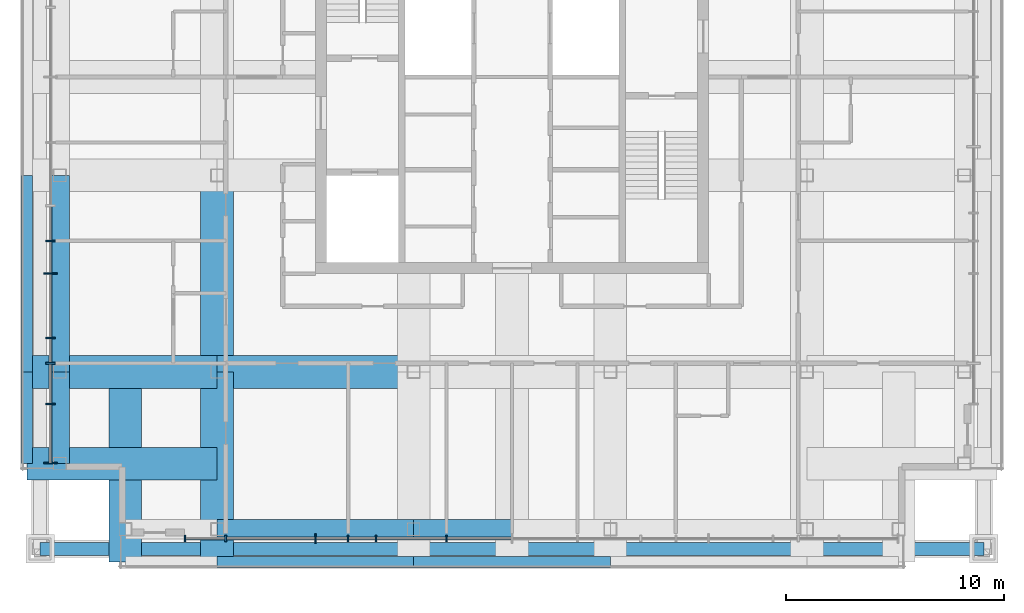
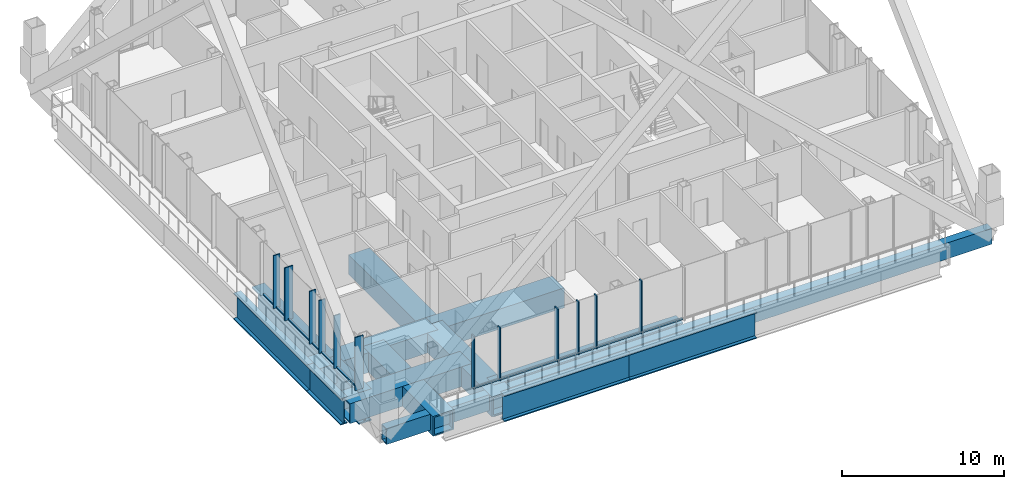
# One storey, part 2 of 19: 25 members, 14 beams, 2 elements without a shape of their own.
"""IFC4 building model written with IfcOpenShell, lengths in metres."""

from ifc_helpers import new_model, si_unit, direction, frame, origin, origin_2d, place, context, subcontext, project, spatial, rectangle, hollow_rectangle, i_section, extrude, material, layer, layer_set, material_profile, profile_set, type_object, element, aggregate, save


model = new_model("IFC4")

# Units and contexts
model_context = context("Model", 3, precision=1e-05, world=origin(), true_north=direction((0.0, 1.0)))
body_context = subcontext(model_context, "Body", "Model", "MODEL_VIEW")
ifc_project = project(units=[si_unit("LENGTHUNIT", "METRE"), si_unit("AREAUNIT", "SQUARE_METRE"), si_unit("VOLUMEUNIT", "CUBIC_METRE"), si_unit("PLANEANGLEUNIT", "RADIAN"), si_unit("MASSUNIT", "GRAM", prefix="KILO")], contexts=[model_context])

# Site, building, storey
site_placement = place(None, origin())
site = spatial("IfcSite", under=ifc_project, at=site_placement, CompositionType="ELEMENT")
building_placement = place(site_placement, origin())
building = spatial("IfcBuilding", under=site, at=building_placement, Name="Malebo Sky Hospital", CompositionType="ELEMENT")
storey_placement = place(building_placement, frame((0.0, 0.0, 250.0)))
storey = spatial("IfcBuildingStorey", under=building, at=storey_placement, Name="L60", CompositionType="ELEMENT", Elevation=250.0)

# Curtain wall, members
ifc_material_1 = material(Name="Anodised aluminium, natural silver", Category="aluminium")
ifc_layer_1 = layer(ifc_material_1, 0.25)
ifc_layer_set_1 = layer_set([ifc_layer_1], Name="WARD CURTAIN WALL EAST AND WEST")
curtain_wall_type_1 = type_object("IfcCurtainWallType", Name="WARD CURTAIN WALL EAST AND WEST", PredefinedType="NOTDEFINED", material=ifc_layer_set_1)
curtain_wall_1_placement = place(storey_placement, origin())
curtain_wall_1 = element("IfcCurtainWall", 1, at=curtain_wall_1_placement, inside=storey, type_object=curtain_wall_type_1, Name="EW curtain wall W", PredefinedType="NOTDEFINED")
ifc_material_profile_1 = material_profile(ifc_material_1, rectangle(XDim=0.14990234375, YDim=0.10009765625, at=origin_2d()), Name="ALUMINIUM TRANSOM 150x100")
ifc_profile_set_1 = profile_set([ifc_material_profile_1], Name="Anodised aluminium, natural silver")
member_type_1 = type_object("IfcMemberType", Name="ALUMINIUM TRANSOM 150x100", PredefinedType="USERDEFINED", material=ifc_profile_set_1)
member_1_placement = place(storey_placement, frame((38.875, 44.375, 0.050048828125), z_axis=(0.0, 1.0, 0.0), x_axis=(-1.0, 0.0, 0.0)))
member_1 = element("IfcMember", 2, at=member_1_placement, type_object=member_type_1, Name="Transom 1", ObjectType="TRANSOM", PredefinedType="USERDEFINED", context=body_context, shape_type="SweptSolid", body=[
    extrude(rectangle(XDim=0.14990234375, YDim=0.10009765625, at=origin_2d()), origin(), (0.0, 0.0, 1.0), 2.61474609375),
])
member_2_placement = place(storey_placement, frame((38.875, 47.064697265625, 0.050048828125), z_axis=(0.0, 1.0, 0.0), x_axis=(-1.0, 0.0, 0.0)))
member_2 = element("IfcMember", 3, at=member_2_placement, type_object=member_type_1, Name="Transom 2", ObjectType="TRANSOM", PredefinedType="USERDEFINED", context=body_context, shape_type="SweptSolid", body=[
    extrude(rectangle(XDim=0.14990234375, YDim=0.10009765625, at=origin_2d()), origin(), (0.0, 0.0, 1.0), 1.7978515625),
])
member_3_placement = place(storey_placement, frame((38.875, 48.9375, 0.050048828125), z_axis=(0.0, 1.0, 0.0), x_axis=(-1.0, 0.0, 0.0)))
member_3 = element("IfcMember", 4, at=member_3_placement, type_object=member_type_1, Name="Transom 3", ObjectType="TRANSOM", PredefinedType="USERDEFINED", context=body_context, shape_type="SweptSolid", body=[
    extrude(rectangle(XDim=0.14990234375, YDim=0.10009765625, at=origin_2d()), origin(), (0.0, 0.0, 1.0), 1.07958984375),
])
member_4_placement = place(storey_placement, frame((38.875, 50.092041015625, 0.050048828125), z_axis=(0.0, 1.0, 0.0), x_axis=(-1.0, 0.0, 0.0)))
member_4 = element("IfcMember", 5, at=member_4_placement, type_object=member_type_1, Name="Transom 4", ObjectType="TRANSOM", PredefinedType="USERDEFINED", context=body_context, shape_type="SweptSolid", body=[
    extrude(rectangle(XDim=0.14990234375, YDim=0.10009765625, at=origin_2d()), origin(), (0.0, 0.0, 1.0), 2.870361328125),
])
member_5_placement = place(storey_placement, frame((38.875, 53.03759765625, 0.050048828125), z_axis=(0.0, 1.0, 0.0), x_axis=(-1.0, 0.0, 0.0)))
member_5 = element("IfcMember", 6, at=member_5_placement, type_object=member_type_1, Name="Transom 5", ObjectType="TRANSOM", PredefinedType="USERDEFINED", context=body_context, shape_type="SweptSolid", body=[
    extrude(rectangle(XDim=0.14990234375, YDim=0.10009765625, at=origin_2d()), origin(), (0.0, 0.0, 1.0), 1.4248046875),
])
member_6_placement = place(storey_placement, frame((38.875, 54.53759765625, 0.050048828125), z_axis=(0.0, 1.0, 0.0), x_axis=(-1.0, 0.0, 0.0)))
member_6 = element("IfcMember", 7, at=member_6_placement, type_object=member_type_1, Name="Transom 6", ObjectType="TRANSOM", PredefinedType="USERDEFINED", context=body_context, shape_type="SweptSolid", body=[
    extrude(rectangle(XDim=0.14990234375, YDim=0.10009765625, at=origin_2d()), origin(), (0.0, 0.0, 1.0), 1.533935546875),
])

ifc_layer_2 = layer(ifc_material_1, 0.25)
ifc_layer_set_2 = layer_set([ifc_layer_2], Name="WARD CURTAIN WALL NORTH AND SOUTH")
curtain_wall_type_2 = type_object("IfcCurtainWallType", Name="WARD CURTAIN WALL NORTH AND SOUTH", PredefinedType="NOTDEFINED", material=ifc_layer_set_2)
curtain_wall_2_placement = place(storey_placement, origin())
curtain_wall_2 = element("IfcCurtainWall", 8, at=curtain_wall_2_placement, inside=storey, type_object=curtain_wall_type_2, Name="NS curtain wall S", PredefinedType="NOTDEFINED")
member_7_placement = place(storey_placement, frame((59.96240234375, 40.875, 0.050048828125), z_axis=(-1.0, 0.0, 0.0), x_axis=(0.0, -1.0, 0.0)))
member_7 = element("IfcMember", 9, at=member_7_placement, type_object=member_type_1, Name="Transom 9", ObjectType="TRANSOM", PredefinedType="USERDEFINED", context=body_context, shape_type="SweptSolid", body=[
    extrude(rectangle(XDim=0.14990234375, YDim=0.10009765625, at=origin_2d()), origin(), (0.0, 0.0, 1.0), 2.9248046875),
])
member_8_placement = place(storey_placement, frame((56.96240234375, 40.875, 0.050048828125), z_axis=(-1.0, 0.0, 0.0), x_axis=(0.0, -1.0, 0.0)))
member_8 = element("IfcMember", 10, at=member_8_placement, type_object=member_type_1, Name="Transom 10", ObjectType="TRANSOM", PredefinedType="USERDEFINED", context=body_context, shape_type="SweptSolid", body=[
    extrude(rectangle(XDim=0.14990234375, YDim=0.10009765625, at=origin_2d()), origin(), (0.0, 0.0, 1.0), 3.14306640625),
])
member_9_placement = place(storey_placement, frame((53.744384765625, 40.875, 0.050048828125), z_axis=(-1.0, 0.0, 0.0), x_axis=(0.0, -1.0, 0.0)))
member_9 = element("IfcMember", 11, at=member_9_placement, type_object=member_type_1, Name="Transom 11", ObjectType="TRANSOM", PredefinedType="USERDEFINED", context=body_context, shape_type="SweptSolid", body=[
    extrude(rectangle(XDim=0.14990234375, YDim=0.10009765625, at=origin_2d()), origin(), (0.0, 0.0, 1.0), 1.206787109375),
])
member_10_placement = place(storey_placement, frame((52.46240234375, 40.875, 0.050048828125), z_axis=(-1.0, 0.0, 0.0), x_axis=(0.0, -1.0, 0.0)))
member_10 = element("IfcMember", 12, at=member_10_placement, type_object=member_type_1, Name="Transom 12", ObjectType="TRANSOM", PredefinedType="USERDEFINED", context=body_context, shape_type="SweptSolid", body=[
    extrude(rectangle(XDim=0.14990234375, YDim=0.10009765625, at=origin_2d()), origin(), (0.0, 0.0, 1.0), 1.4248046875),
])
member_11_placement = place(storey_placement, frame((50.96240234375, 40.875, 0.050048828125), z_axis=(-1.0, 0.0, 0.0), x_axis=(0.0, -1.0, 0.0)))
member_11 = element("IfcMember", 13, at=member_11_placement, type_object=member_type_1, Name="Transom 13", ObjectType="TRANSOM", PredefinedType="USERDEFINED", context=body_context, shape_type="SweptSolid", body=[
    extrude(rectangle(XDim=0.14990234375, YDim=0.10009765625, at=origin_2d()), origin(), (0.0, 0.0, 1.0), 4.02490234375),
])
member_12_placement = place(storey_placement, frame((46.862548828125, 40.875, 0.050048828125), z_axis=(-1.0, 0.0, 0.0), x_axis=(0.0, -1.0, 0.0)))
member_12 = element("IfcMember", 14, at=member_12_placement, type_object=member_type_1, Name="Transom 14", ObjectType="TRANSOM", PredefinedType="USERDEFINED", context=body_context, shape_type="SweptSolid", body=[
    extrude(rectangle(XDim=0.14990234375, YDim=0.10009765625, at=origin_2d()), origin(), (0.0, 0.0, 1.0), 1.78759765625),
])
ifc_material_profile_2 = material_profile(ifc_material_1, rectangle(XDim=0.074951171875, YDim=0.300048828125, at=origin_2d()), Name="CW1 ALUMINIUM FIN MULLION 75x300")
ifc_profile_set_2 = profile_set([ifc_material_profile_2], Name="Anodised aluminium, natural silver")
member_type_2 = type_object("IfcMemberType", Name="CW1 ALUMINIUM FIN MULLION 75x300", PredefinedType="MULLION", material=ifc_profile_set_2)
member_13_placement = place(storey_placement, frame((57.0, 40.875, 0.0), z_axis=(0.0, 0.0, 1.0), x_axis=(-1.0, 0.0, 0.0)))
member_13 = element("IfcMember", 15, at=member_13_placement, type_object=member_type_2, Name="Fin mullion 10", PredefinedType="MULLION", context=body_context, shape_type="SweptSolid", body=[
    extrude(rectangle(XDim=0.074951171875, YDim=0.300048828125, at=origin_2d()), origin(), (0.0, 0.0, 1.0), 4.0),
])
member_14_placement = place(storey_placement, frame((53.78173828125, 40.875, 0.0), z_axis=(0.0, 0.0, 1.0), x_axis=(-1.0, 0.0, 0.0)))
member_14 = element("IfcMember", 16, at=member_14_placement, type_object=member_type_2, Name="Fin mullion 11", PredefinedType="MULLION", context=body_context, shape_type="SweptSolid", body=[
    extrude(rectangle(XDim=0.074951171875, YDim=0.300048828125, at=origin_2d()), origin(), (0.0, 0.0, 1.0), 4.0),
])
member_15_placement = place(storey_placement, frame((52.5, 40.875, 0.0), z_axis=(0.0, 0.0, 1.0), x_axis=(-1.0, 0.0, 0.0)))
member_15 = element("IfcMember", 17, at=member_15_placement, type_object=member_type_2, Name="Fin mullion 12", PredefinedType="MULLION", context=body_context, shape_type="SweptSolid", body=[
    extrude(rectangle(XDim=0.074951171875, YDim=0.300048828125, at=origin_2d()), origin(), (0.0, 0.0, 1.0), 4.0),
])
member_16_placement = place(storey_placement, frame((46.89990234375, 40.875, 0.0), z_axis=(0.0, 0.0, 1.0), x_axis=(-1.0, 0.0, 0.0)))
member_16 = element("IfcMember", 18, at=member_16_placement, type_object=member_type_2, Name="Fin mullion 14", PredefinedType="MULLION", context=body_context, shape_type="SweptSolid", body=[
    extrude(rectangle(XDim=0.074951171875, YDim=0.300048828125, at=origin_2d()), origin(), (0.0, 0.0, 1.0), 4.0),
])
member_17_placement = place(storey_placement, frame((45.03759765625, 40.875, 0.0), z_axis=(0.0, 0.0, 1.0), x_axis=(-1.0, 0.0, 0.0)))
member_17 = element("IfcMember", 19, at=member_17_placement, type_object=member_type_2, Name="Fin mullion 15", PredefinedType="MULLION", context=body_context, shape_type="SweptSolid", body=[
    extrude(rectangle(XDim=0.074951171875, YDim=0.300048828125, at=origin_2d()), origin(), (0.0, 0.0, 1.0), 4.0),
])
ifc_material_profile_3 = material_profile(ifc_material_1, rectangle(XDim=0.074951171875, YDim=0.449951171875, at=origin_2d()), Name="CW1 ALUMINIUM FIN MULLION 75x450")
ifc_profile_set_3 = profile_set([ifc_material_profile_3], Name="Anodised aluminium, natural silver")
member_type_3 = type_object("IfcMemberType", Name="CW1 ALUMINIUM FIN MULLION 75x450", PredefinedType="MULLION", material=ifc_profile_set_3)
member_18_placement = place(storey_placement, frame((51.0, 40.875, 0.0), z_axis=(0.0, 0.0, 1.0), x_axis=(-1.0, 0.0, 0.0)))
member_18 = element("IfcMember", 20, at=member_18_placement, type_object=member_type_3, Name="Fin mullion 13", PredefinedType="MULLION", context=body_context, shape_type="SweptSolid", body=[
    extrude(rectangle(XDim=0.074951171875, YDim=0.449951171875, at=origin_2d()), origin(), (0.0, 0.0, 1.0), 4.0),
])
aggregate(curtain_wall_2, [member_13, member_14, member_15, member_18, member_16, member_17, member_7, member_8, member_9, member_10, member_11, member_12])

# Member
ifc_material_profile_4 = material_profile(ifc_material_1, rectangle(XDim=0.074951171875, YDim=0.449951171875, at=origin_2d()), Name="CW2 ALUMINIUM FIN MULLION 75x450")
ifc_profile_set_4 = profile_set([ifc_material_profile_4], Name="Anodised aluminium, natural silver")
member_type_4 = type_object("IfcMemberType", Name="CW2 ALUMINIUM FIN MULLION 75x450", PredefinedType="MULLION", material=ifc_profile_set_4)
member_19_placement = place(storey_placement, frame((38.875, 47.02734375, 0.0), z_axis=(0.0, 0.0, 1.0), x_axis=(0.0, 1.0, 0.0)))
member_19 = element("IfcMember", 21, at=member_19_placement, type_object=member_type_4, Name="Fin mullion 2", PredefinedType="MULLION", context=body_context, shape_type="SweptSolid", body=[
    extrude(rectangle(XDim=0.074951171875, YDim=0.449951171875, at=origin_2d()), origin(), (0.0, 0.0, 1.0), 4.0),
])

member_20_placement = place(storey_placement, frame((38.875, 48.89990234375, 0.0), z_axis=(0.0, 0.0, 1.0), x_axis=(0.0, 1.0, 0.0)))
member_20 = element("IfcMember", 22, at=member_20_placement, type_object=member_type_4, Name="Fin mullion 3", PredefinedType="MULLION", context=body_context, shape_type="SweptSolid", body=[
    extrude(rectangle(XDim=0.074951171875, YDim=0.449951171875, at=origin_2d()), origin(), (0.0, 0.0, 1.0), 4.0),
])

member_21_placement = place(storey_placement, frame((38.875, 50.054443359375, 0.0), z_axis=(0.0, 0.0, 1.0), x_axis=(0.0, 1.0, 0.0)))
member_21 = element("IfcMember", 23, at=member_21_placement, type_object=member_type_4, Name="Fin mullion 4", PredefinedType="MULLION", context=body_context, shape_type="SweptSolid", body=[
    extrude(rectangle(XDim=0.074951171875, YDim=0.449951171875, at=origin_2d()), origin(), (0.0, 0.0, 1.0), 4.0),
])

member_22_placement = place(storey_placement, frame((38.875, 54.5, 0.0), z_axis=(0.0, 0.0, 1.0), x_axis=(0.0, 1.0, 0.0)))
member_22 = element("IfcMember", 24, at=member_22_placement, type_object=member_type_4, Name="Fin mullion 6", PredefinedType="MULLION", context=body_context, shape_type="SweptSolid", body=[
    extrude(rectangle(XDim=0.074951171875, YDim=0.449951171875, at=origin_2d()), origin(), (0.0, 0.0, 1.0), 4.0),
])

ifc_material_profile_5 = material_profile(ifc_material_1, rectangle(XDim=0.074951171875, YDim=0.60009765625, at=origin_2d()), Name="CW2 ALUMINIUM FIN MULLION 75x600")
ifc_profile_set_5 = profile_set([ifc_material_profile_5], Name="Anodised aluminium, natural silver")
member_type_5 = type_object("IfcMemberType", Name="CW2 ALUMINIUM FIN MULLION 75x600", PredefinedType="MULLION", material=ifc_profile_set_5)
member_23_placement = place(storey_placement, frame((38.875, 44.33740234375, 0.0), z_axis=(0.0, 0.0, 1.0), x_axis=(0.0, 1.0, 0.0)))
member_23 = element("IfcMember", 25, at=member_23_placement, type_object=member_type_5, Name="Fin mullion 1", PredefinedType="MULLION", context=body_context, shape_type="SweptSolid", body=[
    extrude(rectangle(XDim=0.074951171875, YDim=0.60009765625, at=origin_2d()), origin(), (0.0, 0.0, 1.0), 4.0),
])

member_24_placement = place(storey_placement, frame((38.875, 53.0, 0.0), z_axis=(0.0, 0.0, 1.0), x_axis=(0.0, 1.0, 0.0)))
member_24 = element("IfcMember", 26, at=member_24_placement, type_object=member_type_5, Name="Fin mullion 5", PredefinedType="MULLION", context=body_context, shape_type="SweptSolid", body=[
    extrude(rectangle(XDim=0.074951171875, YDim=0.60009765625, at=origin_2d()), origin(), (0.0, 0.0, 1.0), 4.0),
])

aggregate(curtain_wall_1, [member_23, member_19, member_20, member_21, member_24, member_22, member_1, member_2, member_3, member_4, member_5, member_6])

ifc_material_2 = material(Name="Steel S460", Category="steel")
ifc_material_profile_6 = material_profile(ifc_material_2, hollow_rectangle(XDim=0.60009765625, YDim=1.199951171875, WallThickness=0.080078125, at=origin_2d()), Name="BOX 1200x600x80")
ifc_profile_set_6 = profile_set([ifc_material_profile_6], Name="Steel S460")
member_type_6 = type_object("IfcMemberType", Name="MEGA TIE BOX 1200x600x80", PredefinedType="CHORD", material=ifc_profile_set_6)
member_25_placement = place(storey_placement, frame((38.39990234375, 40.39990234375, -0.85009765625), z_axis=(1.0, 0.0, 0.0), x_axis=(0.0, 1.0, 0.0)))
element("IfcMember", 27, at=member_25_placement, inside=storey, type_object=member_type_6, Name="Mega tie DS L60", PredefinedType="CHORD", context=body_context, shape_type="SweptSolid", body=[
    extrude(hollow_rectangle(XDim=0.60009765625, YDim=1.199951171875, WallThickness=0.080078125, at=origin_2d()), origin(), (0.0, 0.0, 1.0), 43.2001953125),
])

# Beams
ifc_material_profile_7 = material_profile(ifc_material_2, hollow_rectangle(XDim=1.5, YDim=1.5, WallThickness=0.10009765625, at=origin_2d()), Name="BOX 1500x1500x100")
ifc_profile_set_7 = profile_set([ifc_material_profile_7], Name="Steel S460")
beam_type_1 = type_object("IfcBeamType", Name="TRANSFER GIRDER BOX 1500x1500x100", PredefinedType="BEAM", material=ifc_profile_set_7)
beam_1_placement = place(storey_placement, frame((46.5, 39.800048828125, -1.0), z_axis=(0.0, 1.0, 0.0), x_axis=(-1.0, 0.0, 0.0)))
element("IfcBeam", 28, at=beam_1_placement, inside=storey, type_object=beam_type_1, Name="Beam 008 L60", PredefinedType="BEAM", context=body_context, shape_type="SweptSolid", body=[
    extrude(hollow_rectangle(XDim=1.5, YDim=1.5, WallThickness=0.10009765625, at=origin_2d()), origin(), (0.0, 0.0, 1.0), 8.699951171875),
])
beam_2_placement = place(storey_placement, frame((46.5, 48.5, -1.0), z_axis=(0.0, 1.0, 0.0), x_axis=(-1.0, 0.0, 0.0)))
element("IfcBeam", 29, at=beam_2_placement, inside=storey, type_object=beam_type_1, Name="Beam 009 L60", PredefinedType="BEAM", context=body_context, shape_type="SweptSolid", body=[
    extrude(hollow_rectangle(XDim=1.5, YDim=1.5, WallThickness=0.10009765625, at=origin_2d()), origin(), (0.0, 0.0, 1.0), 9.0),
])
beam_3_placement = place(storey_placement, frame((37.800048828125, 48.5, -1.0), z_axis=(1.0, 0.0, 0.0), x_axis=(0.0, 1.0, 0.0)))
element("IfcBeam", 30, at=beam_3_placement, inside=storey, type_object=beam_type_1, Name="Beam 044 L60", PredefinedType="BEAM", context=body_context, shape_type="SweptSolid", body=[
    extrude(hollow_rectangle(XDim=1.5, YDim=1.5, WallThickness=0.10009765625, at=origin_2d()), origin(), (0.0, 0.0, 1.0), 8.699951171875),
])
beam_4_placement = place(storey_placement, frame((46.5, 48.5, -1.0), z_axis=(1.0, 0.0, 0.0), x_axis=(0.0, 1.0, 0.0)))
element("IfcBeam", 31, at=beam_4_placement, inside=storey, type_object=beam_type_1, Name="Beam 045 L60", PredefinedType="BEAM", context=body_context, shape_type="SweptSolid", body=[
    extrude(hollow_rectangle(XDim=1.5, YDim=1.5, WallThickness=0.10009765625, at=origin_2d()), origin(), (0.0, 0.0, 1.0), 9.0),
])
for number, where, z_axis, x_axis, name in (
    (32, (42.300048828125, 39.800048828125, -1.0), (0.0, 1.0, 0.0), (-1.0, 0.0, 0.0), "Beam 006 L60"),
    (33, (37.800048828125, 44.300048828125, -1.0), (1.0, 0.0, 0.0), (0.0, 1.0, 0.0), "Beam 042 L60"),
):
    element("IfcBeam", number, at=place(storey_placement, frame(where, z_axis=z_axis, x_axis=x_axis)), inside=storey, type_object=beam_type_1, Name=name, PredefinedType="BEAM", context=body_context, shape_type="SweptSolid", body=[
        extrude(hollow_rectangle(XDim=1.5, YDim=1.5, WallThickness=0.10009765625, at=origin_2d()), origin(), (0.0, 0.0, 1.0), 8.699951171875),
    ])
ifc_material_3 = material(Name="Steel S355", Category="steel")
ifc_material_profile_8 = material_profile(ifc_material_3, i_section(OverallWidth=0.5, OverallDepth=2.0, WebThickness=0.0400390625, FlangeThickness=0.080078125, at=origin_2d()), Name="PG 2000x500x40x80")
ifc_profile_set_8 = profile_set([ifc_material_profile_8], Name="Steel S355")
beam_type_2 = type_object("IfcBeamType", Name="TRANSFER GIRDER PG 2000x500x40x80", PredefinedType="BEAM", material=ifc_profile_set_8)
beam_5_placement = place(storey_placement, frame((37.800048828125, 44.300048828125, -1.25), z_axis=(0.0, 1.0, 0.0), x_axis=(-1.0, 0.0, 0.0)))
element("IfcBeam", 34, at=beam_5_placement, inside=storey, type_object=beam_type_2, Name="Beam 000 L60", PredefinedType="BEAM", context=body_context, shape_type="SweptSolid", body=[
    extrude(i_section(OverallWidth=0.5, OverallDepth=2.0, WebThickness=0.0400390625, FlangeThickness=0.080078125, at=origin_2d()), origin(), (0.0, 0.0, 1.0), 4.199951171875),
])
for number, where, z_axis, x_axis, name in (
    (35, (37.800048828125, 48.5, -1.25), (0.0, 1.0, 0.0), (-1.0, 0.0, 0.0), "Beam 001 L60"),
    (36, (46.5, 39.800048828125, -1.25), (1.0, 0.0, 0.0), (0.0, 1.0, 0.0), "Beam 037 L60"),
    (37, (55.5, 39.800048828125, -1.25), (1.0, 0.0, 0.0), (0.0, 1.0, 0.0), "Beam 038 L60"),
):
    element("IfcBeam", number, at=place(storey_placement, frame(where, z_axis=z_axis, x_axis=x_axis)), inside=storey, type_object=beam_type_2, Name=name, PredefinedType="BEAM", context=body_context, shape_type="SweptSolid", body=[
        extrude(i_section(OverallWidth=0.5, OverallDepth=2.0, WebThickness=0.0400390625, FlangeThickness=0.080078125, at=origin_2d()), origin(), (0.0, 0.0, 1.0), 9.0),
    ])
ifc_material_profile_9 = material_profile(ifc_material_3, i_section(OverallWidth=0.89990234375, OverallDepth=2.39990234375, WebThickness=0.050048828125, FlangeThickness=0.10009765625, at=origin_2d()), Name="PG 2400x900x50x100")
ifc_profile_set_9 = profile_set([ifc_material_profile_9], Name="Steel S355")
beam_type_3 = type_object("IfcBeamType", Name="TRANSFER GIRDER PG 2400x900x50x100", PredefinedType="BEAM", material=ifc_profile_set_9)
beam_6_placement = place(storey_placement, frame((39.300048828125, 44.300048828125, -1.449951171875), z_axis=(0.0, 1.0, 0.0), x_axis=(-1.0, 0.0, 0.0)))
element("IfcBeam", 38, at=beam_6_placement, inside=storey, type_object=beam_type_3, Name="Beam 005 L60", PredefinedType="BEAM", context=body_context, shape_type="SweptSolid", body=[
    extrude(i_section(OverallWidth=0.89990234375, OverallDepth=2.39990234375, WebThickness=0.050048828125, FlangeThickness=0.10009765625, at=origin_2d()), origin(), (0.0, 0.0, 1.0), 4.199951171875),
])
for number, where, z_axis, x_axis, name in (
    (39, (39.300048828125, 48.5, -1.449951171875), (0.0, 1.0, 0.0), (-1.0, 0.0, 0.0), "Beam 005b L60"),
    (40, (46.5, 41.300048828125, -1.449951171875), (1.0, 0.0, 0.0), (0.0, 1.0, 0.0), "Beam 041b L60"),
):
    element("IfcBeam", number, at=place(storey_placement, frame(where, z_axis=z_axis, x_axis=x_axis)), inside=storey, type_object=beam_type_3, Name=name, PredefinedType="BEAM", context=body_context, shape_type="SweptSolid", body=[
        extrude(i_section(OverallWidth=0.89990234375, OverallDepth=2.39990234375, WebThickness=0.050048828125, FlangeThickness=0.10009765625, at=origin_2d()), origin(), (0.0, 0.0, 1.0), 9.0),
    ])
beam_7_placement = place(storey_placement, frame((55.5, 41.300048828125, -1.449951171875), z_axis=(1.0, 0.0, 0.0), x_axis=(0.0, 1.0, 0.0)))
element("IfcBeam", 41, at=beam_7_placement, inside=storey, type_object=beam_type_3, Name="Beam 041c L60", PredefinedType="BEAM", context=body_context, shape_type="SweptSolid", body=[
    extrude(i_section(OverallWidth=0.89990234375, OverallDepth=2.39990234375, WebThickness=0.050048828125, FlangeThickness=0.10009765625, at=origin_2d()), origin(), (0.0, 0.0, 1.0), 4.5),
])

save(model, "model.ifc")
